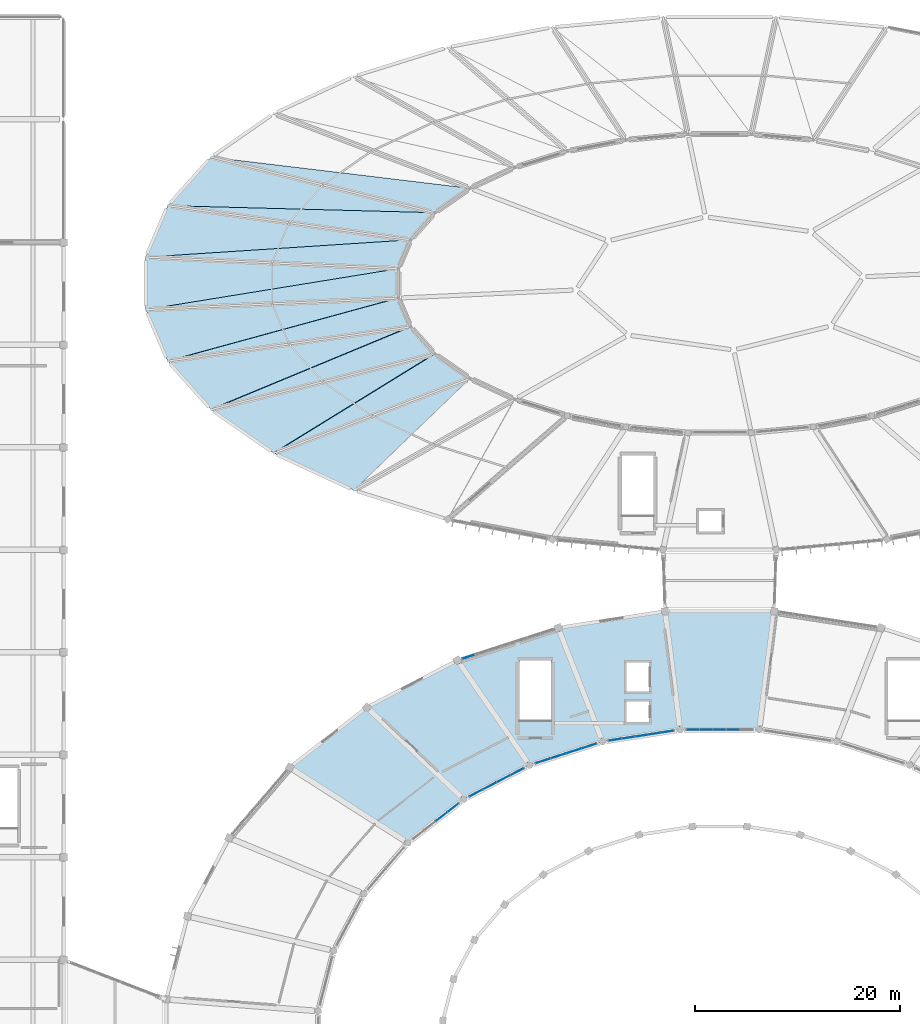
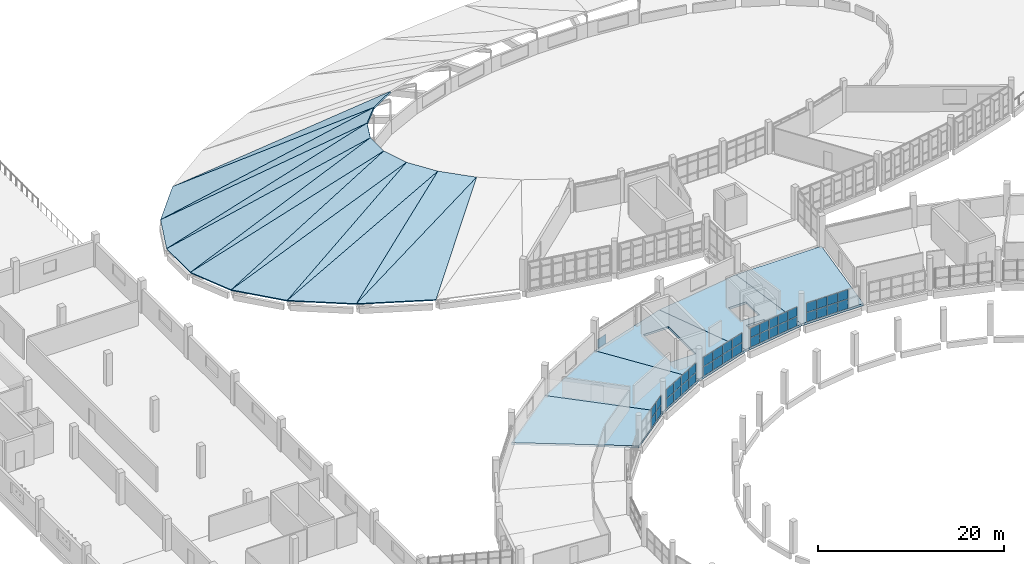
# One storey, part 80 of 142: 39 plates, 19 slabs, 6 elements without a shape of their own.
"""IFC4 building model written with IfcOpenShell, lengths in metres."""

from ifc_helpers import new_model, si_unit, direction, frame, origin, origin_2d, place, context, subcontext, project, spatial, polyline, rectangle, outline, extrude, material, layer, layer_set, type_object, element, aggregate, save


model = new_model("IFC4")

# Units and contexts
model_context = context("Model", 3, precision=1e-05, world=origin(), true_north=direction((0.0, 1.0)))
body_context = subcontext(model_context, "Body", "Model", "MODEL_VIEW")
ifc_project = project(units=[si_unit("LENGTHUNIT", "METRE"), si_unit("AREAUNIT", "SQUARE_METRE"), si_unit("VOLUMEUNIT", "CUBIC_METRE"), si_unit("PLANEANGLEUNIT", "RADIAN"), si_unit("MASSUNIT", "GRAM", prefix="KILO")], contexts=[model_context])

# Site, building, storey
site_placement = place(None, origin())
site = spatial("IfcSite", under=ifc_project, at=site_placement, CompositionType="ELEMENT")
building_placement = place(site_placement, origin())
building = spatial("IfcBuilding", under=site, at=building_placement, Name="Corvandel Quay Wholesale Market", CompositionType="ELEMENT")
storey_placement = place(building_placement, frame((0.0, 0.0, 10.800048828125)))
storey = spatial("IfcBuildingStorey", under=building, at=storey_placement, Name="L02", CompositionType="ELEMENT", Elevation=10.800048828125)

# Slabs
ifc_material_1 = material(Name="Concrete C40/50", Category="concrete")
ifc_layer_1 = layer(ifc_material_1, 0.280029296875)
ifc_layer_set_1 = layer_set([ifc_layer_1], Name="Concrete C40/50")
slab_type_1 = type_object("IfcSlabType", Name="Composite Sorting Gallery Floor Slab 280", PredefinedType="FLOOR", material=ifc_layer_set_1)
slab_1_placement = place(storey_placement, frame((0.0, 0.0, -0.280029296875)))
element("IfcSlab", 1, at=slab_1_placement, inside=storey, type_object=slab_type_1, Name="Slab SLB-0041", PredefinedType="FLOOR", context=body_context, shape_type="SweptSolid", body=[
    extrude(outline(polyline([(117.85595703125, 72.449951171875), (110.14404296875, 72.449951171875), (108.680908203125, 84.0), (119.319091796875, 84.0), (117.85595703125, 72.449951171875)])), origin(), (0.0, 0.0, 1.0), 0.280029296875),
])
slab_2_placement = place(storey_placement, frame((0.0, 0.0, -0.280029296875)))
element("IfcSlab", 2, at=slab_2_placement, inside=storey, type_object=slab_type_1, Name="Slab SLB-0046", PredefinedType="FLOOR", context=body_context, shape_type="SweptSolid", body=[
    extrude(outline(polyline([(110.14404296875, 72.449951171875), (102.580078125, 71.280029296875), (98.2490234375, 82.385986328125), (108.680908203125, 84.0), (110.14404296875, 72.449951171875)]), holes=[polyline([(107.10009765625, 75.199951171875), (104.89990234375, 75.199951171875), (104.89990234375, 73.199951171875), (107.10009765625, 73.199951171875), (107.10009765625, 75.199951171875)]), polyline([(107.10009765625, 76.199951171875), (107.10009765625, 79.0), (104.89990234375, 79.0), (104.89990234375, 76.199951171875), (107.10009765625, 76.199951171875)])]), origin(), (0.0, 0.0, 1.0), 0.280029296875),
])
slab_3_placement = place(storey_placement, frame((0.0, 0.0, -0.280029296875)))
element("IfcSlab", 3, at=slab_3_placement, inside=storey, type_object=slab_type_1, Name="Slab SLB-0051", PredefinedType="FLOOR", context=body_context, shape_type="SweptSolid", body=[
    extrude(outline(polyline([(102.580078125, 71.280029296875), (95.4560546875, 68.98388671875), (88.4208984375, 79.219970703125), (98.2490234375, 82.385986328125), (102.580078125, 71.280029296875)]), holes=[polyline([(97.550048828125, 73.300048828125), (97.550048828125, 79.199951171875), (94.449951171875, 79.199951171875), (94.449951171875, 73.300048828125), (97.550048828125, 73.300048828125)])]), origin(), (0.0, 0.0, 1.0), 0.280029296875),
])
slab_4_placement = place(storey_placement, frame((0.0, 0.0, -0.280029296875)))
element("IfcSlab", 4, at=slab_4_placement, inside=storey, type_object=slab_type_1, Name="Slab SLB-0056", PredefinedType="FLOOR", context=body_context, shape_type="SweptSolid", body=[
    extrude(outline(polyline([(95.4560546875, 68.98388671875), (89.04296875, 65.652099609375), (79.576904296875, 74.6240234375), (88.4208984375, 79.219970703125), (95.4560546875, 68.98388671875)])), origin(), (0.0, 0.0, 1.0), 0.280029296875),
])
slab_5_placement = place(storey_placement, frame((0.0, 0.0, -0.280029296875)))
element("IfcSlab", 5, at=slab_5_placement, inside=storey, type_object=slab_type_1, Name="Slab SLB-0061", PredefinedType="FLOOR", context=body_context, shape_type="SweptSolid", body=[
    extrude(outline(polyline([(89.04296875, 65.652099609375), (83.590087890625, 61.410888671875), (72.054931640625, 68.77294921875), (79.576904296875, 74.6240234375), (89.04296875, 65.652099609375)])), origin(), (0.0, 0.0, 1.0), 0.280029296875),
])

# Curtain wall, plates
ifc_material_2 = material(Name="Bronze anodised aluminium and low-E insulated glazing", Category="aluminium")
ifc_layer_2 = layer(ifc_material_2, 0.162109375)
ifc_layer_set_2 = layer_set([ifc_layer_2], Name="Bronze anodised aluminium and low-E insulated glazing")
curtain_wall_type_1 = type_object("IfcCurtainWallType", Name="Stick Curtain Wall System CW01 H3090", PredefinedType="NOTDEFINED", material=ifc_layer_set_2)
curtain_wall_1_placement = place(storey_placement, origin())
curtain_wall_1 = element("IfcCurtainWall", 6, at=curtain_wall_1_placement, inside=storey, type_object=curtain_wall_type_1, Name="Curtain Wall CW-0023", PredefinedType="NOTDEFINED")
ifc_material_3 = material(Name="Solar-control low-E insulated glazing", Category="glass")
ifc_layer_3 = layer(ifc_material_3, 0.028076171875)
ifc_layer_set_3 = layer_set([ifc_layer_3], Name="Solar-control low-E insulated glazing")
plate_type = type_object("IfcPlateType", Name="Double Low-E Vision Panel PN01 28mm", PredefinedType="CURTAIN_PANEL", material=ifc_layer_set_3)
plate_1_placement = place(storey_placement, frame((115.302490234375, 72.449951171875, 0.02978515625), z_axis=(0.0, 0.0, 1.0), x_axis=(1.0, 0.0, 0.0)))
plate_1 = element("IfcPlate", 7, at=plate_1_placement, type_object=plate_type, Name="Glazing Panel CW-0023-P01-0", PredefinedType="CURTAIN_PANEL", context=body_context, shape_type="SweptSolid", body=[
    extrude(rectangle(XDim=1.2373046875, YDim=0.028076171875, at=origin_2d()), origin(), (0.0, 0.0, 1.0), 1.215087890625),
])
plate_2_placement = place(storey_placement, frame((115.302490234375, 72.449951171875, 1.3046875), z_axis=(0.0, 0.0, 1.0), x_axis=(1.0, 0.0, 0.0)))
plate_2 = element("IfcPlate", 8, at=plate_2_placement, type_object=plate_type, Name="Glazing Panel CW-0023-P01-1", PredefinedType="CURTAIN_PANEL", context=body_context, shape_type="SweptSolid", body=[
    extrude(rectangle(XDim=1.2373046875, YDim=0.028076171875, at=origin_2d()), origin(), (0.0, 0.0, 1.0), 1.215087890625),
])
plate_3_placement = place(storey_placement, frame((114.0, 72.449951171875, 0.02978515625), z_axis=(0.0, 0.0, 1.0), x_axis=(1.0, 0.0, 0.0)))
plate_3 = element("IfcPlate", 9, at=plate_3_placement, type_object=plate_type, Name="Glazing Panel CW-0023-P02-0", PredefinedType="CURTAIN_PANEL", context=body_context, shape_type="SweptSolid", body=[
    extrude(rectangle(XDim=1.2373046875, YDim=0.028076171875, at=origin_2d()), origin(), (0.0, 0.0, 1.0), 1.215087890625),
])
plate_4_placement = place(storey_placement, frame((114.0, 72.449951171875, 1.3046875), z_axis=(0.0, 0.0, 1.0), x_axis=(1.0, 0.0, 0.0)))
plate_4 = element("IfcPlate", 10, at=plate_4_placement, type_object=plate_type, Name="Glazing Panel CW-0023-P02-1", PredefinedType="CURTAIN_PANEL", context=body_context, shape_type="SweptSolid", body=[
    extrude(rectangle(XDim=1.2373046875, YDim=0.028076171875, at=origin_2d()), origin(), (0.0, 0.0, 1.0), 1.215087890625),
])
plate_5_placement = place(storey_placement, frame((112.697509765625, 72.449951171875, 0.02978515625), z_axis=(0.0, 0.0, 1.0), x_axis=(1.0, 0.0, 0.0)))
plate_5 = element("IfcPlate", 11, at=plate_5_placement, type_object=plate_type, Name="Glazing Panel CW-0023-P03-0", PredefinedType="CURTAIN_PANEL", context=body_context, shape_type="SweptSolid", body=[
    extrude(rectangle(XDim=1.2373046875, YDim=0.028076171875, at=origin_2d()), origin(), (0.0, 0.0, 1.0), 1.215087890625),
])
plate_6_placement = place(storey_placement, frame((112.697509765625, 72.449951171875, 1.3046875), z_axis=(0.0, 0.0, 1.0), x_axis=(1.0, 0.0, 0.0)))
plate_6 = element("IfcPlate", 12, at=plate_6_placement, type_object=plate_type, Name="Glazing Panel CW-0023-P03-1", PredefinedType="CURTAIN_PANEL", context=body_context, shape_type="SweptSolid", body=[
    extrude(rectangle(XDim=1.2373046875, YDim=0.028076171875, at=origin_2d()), origin(), (0.0, 0.0, 1.0), 1.215087890625),
])
plate_7_placement = place(storey_placement, frame((111.395263671875, 72.449951171875, 0.02978515625), z_axis=(0.0, 0.0, 1.0), x_axis=(1.0, 0.0, 0.0)))
plate_7 = element("IfcPlate", 13, at=plate_7_placement, type_object=plate_type, Name="Glazing Panel CW-0023-P04-0", PredefinedType="CURTAIN_PANEL", context=body_context, shape_type="SweptSolid", body=[
    extrude(rectangle(XDim=1.2373046875, YDim=0.028076171875, at=origin_2d()), origin(), (0.0, 0.0, 1.0), 1.215087890625),
])
plate_8_placement = place(storey_placement, frame((111.395263671875, 72.449951171875, 1.3046875), z_axis=(0.0, 0.0, 1.0), x_axis=(1.0, 0.0, 0.0)))
plate_8 = element("IfcPlate", 14, at=plate_8_placement, type_object=plate_type, Name="Glazing Panel CW-0023-P04-1", PredefinedType="CURTAIN_PANEL", context=body_context, shape_type="SweptSolid", body=[
    extrude(rectangle(XDim=1.2373046875, YDim=0.028076171875, at=origin_2d()), origin(), (0.0, 0.0, 1.0), 1.215087890625),
])
aggregate(curtain_wall_1, [plate_1, plate_2, plate_3, plate_4, plate_5, plate_6, plate_7, plate_8])

ifc_layer_4 = layer(ifc_material_2, 0.174072265625)
ifc_layer_set_4 = layer_set([ifc_layer_4], Name="Bronze anodised aluminium and low-E insulated glazing")
curtain_wall_type_2 = type_object("IfcCurtainWallType", Name="Stick Curtain Wall System CW02 H3180", PredefinedType="NOTDEFINED", material=ifc_layer_set_4)
curtain_wall_2_placement = place(storey_placement, origin())
curtain_wall_2 = element("IfcCurtainWall", 15, at=curtain_wall_2_placement, inside=storey, type_object=curtain_wall_type_2, Name="Curtain Wall CW-0026", PredefinedType="NOTDEFINED")
plate_9_placement = place(storey_placement, frame((108.9130859375, 72.259521484375, 0.02978515625), z_axis=(0.0, 0.0, 1.0), x_axis=(0.98825506746, 0.152813355565, 0.0)))
plate_9 = element("IfcPlate", 16, at=plate_9_placement, type_object=plate_type, Name="Glazing Panel CW-0026-P00-0", PredefinedType="CURTAIN_PANEL", context=body_context, shape_type="SweptSolid", body=[
    extrude(rectangle(XDim=1.225830078125, YDim=0.028076171875, at=origin_2d()), origin(), (0.0, 0.0, 1.0), 1.215087890625),
])
plate_10_placement = place(storey_placement, frame((108.9130859375, 72.259521484375, 1.3046875), z_axis=(0.0, 0.0, 1.0), x_axis=(0.98825506746, 0.152813355565, 0.0)))
plate_10 = element("IfcPlate", 17, at=plate_10_placement, type_object=plate_type, Name="Glazing Panel CW-0026-P00-1", PredefinedType="CURTAIN_PANEL", context=body_context, shape_type="SweptSolid", body=[
    extrude(rectangle(XDim=1.225830078125, YDim=0.028076171875, at=origin_2d()), origin(), (0.0, 0.0, 1.0), 1.215087890625),
])
plate_11_placement = place(storey_placement, frame((107.6376953125, 72.062255859375, 0.02978515625), z_axis=(0.0, 0.0, 1.0), x_axis=(0.98825506746, 0.152813355565, 0.0)))
plate_11 = element("IfcPlate", 18, at=plate_11_placement, type_object=plate_type, Name="Glazing Panel CW-0026-P01-0", PredefinedType="CURTAIN_PANEL", context=body_context, shape_type="SweptSolid", body=[
    extrude(rectangle(XDim=1.225830078125, YDim=0.028076171875, at=origin_2d()), origin(), (0.0, 0.0, 1.0), 1.215087890625),
])
plate_12_placement = place(storey_placement, frame((107.6376953125, 72.062255859375, 1.3046875), z_axis=(0.0, 0.0, 1.0), x_axis=(0.98825506746, 0.152813355565, 0.0)))
plate_12 = element("IfcPlate", 19, at=plate_12_placement, type_object=plate_type, Name="Glazing Panel CW-0026-P01-1", PredefinedType="CURTAIN_PANEL", context=body_context, shape_type="SweptSolid", body=[
    extrude(rectangle(XDim=1.225830078125, YDim=0.028076171875, at=origin_2d()), origin(), (0.0, 0.0, 1.0), 1.215087890625),
])
plate_13_placement = place(storey_placement, frame((106.362060546875, 71.864990234375, 0.02978515625), z_axis=(0.0, 0.0, 1.0), x_axis=(0.98825506746, 0.152813355565, 0.0)))
plate_13 = element("IfcPlate", 20, at=plate_13_placement, type_object=plate_type, Name="Glazing Panel CW-0026-P02-0", PredefinedType="CURTAIN_PANEL", context=body_context, shape_type="SweptSolid", body=[
    extrude(rectangle(XDim=1.225830078125, YDim=0.028076171875, at=origin_2d()), origin(), (0.0, 0.0, 1.0), 1.215087890625),
])
plate_14_placement = place(storey_placement, frame((106.362060546875, 71.864990234375, 1.3046875), z_axis=(0.0, 0.0, 1.0), x_axis=(0.98825506746, 0.152813355565, 0.0)))
plate_14 = element("IfcPlate", 21, at=plate_14_placement, type_object=plate_type, Name="Glazing Panel CW-0026-P02-1", PredefinedType="CURTAIN_PANEL", context=body_context, shape_type="SweptSolid", body=[
    extrude(rectangle(XDim=1.225830078125, YDim=0.028076171875, at=origin_2d()), origin(), (0.0, 0.0, 1.0), 1.215087890625),
])
plate_15_placement = place(storey_placement, frame((105.08642578125, 71.667724609375, 0.02978515625), z_axis=(0.0, 0.0, 1.0), x_axis=(0.98825506746, 0.152813355565, 0.0)))
plate_15 = element("IfcPlate", 22, at=plate_15_placement, type_object=plate_type, Name="Glazing Panel CW-0026-P03-0", PredefinedType="CURTAIN_PANEL", context=body_context, shape_type="SweptSolid", body=[
    extrude(rectangle(XDim=1.225830078125, YDim=0.028076171875, at=origin_2d()), origin(), (0.0, 0.0, 1.0), 1.215087890625),
])
plate_16_placement = place(storey_placement, frame((105.08642578125, 71.667724609375, 1.3046875), z_axis=(0.0, 0.0, 1.0), x_axis=(0.98825506746, 0.152813355565, 0.0)))
plate_16 = element("IfcPlate", 23, at=plate_16_placement, type_object=plate_type, Name="Glazing Panel CW-0026-P03-1", PredefinedType="CURTAIN_PANEL", context=body_context, shape_type="SweptSolid", body=[
    extrude(rectangle(XDim=1.225830078125, YDim=0.028076171875, at=origin_2d()), origin(), (0.0, 0.0, 1.0), 1.215087890625),
])
plate_17_placement = place(storey_placement, frame((103.810791015625, 71.470458984375, 0.02978515625), z_axis=(0.0, 0.0, 1.0), x_axis=(0.98825506746, 0.152813355565, 0.0)))
plate_17 = element("IfcPlate", 24, at=plate_17_placement, type_object=plate_type, Name="Glazing Panel CW-0026-P04-0", PredefinedType="CURTAIN_PANEL", context=body_context, shape_type="SweptSolid", body=[
    extrude(rectangle(XDim=1.225830078125, YDim=0.028076171875, at=origin_2d()), origin(), (0.0, 0.0, 1.0), 1.215087890625),
])
plate_18_placement = place(storey_placement, frame((103.810791015625, 71.470458984375, 1.3046875), z_axis=(0.0, 0.0, 1.0), x_axis=(0.98825506746, 0.152813355565, 0.0)))
plate_18 = element("IfcPlate", 25, at=plate_18_placement, type_object=plate_type, Name="Glazing Panel CW-0026-P04-1", PredefinedType="CURTAIN_PANEL", context=body_context, shape_type="SweptSolid", body=[
    extrude(rectangle(XDim=1.225830078125, YDim=0.028076171875, at=origin_2d()), origin(), (0.0, 0.0, 1.0), 1.215087890625),
])
aggregate(curtain_wall_2, [plate_9, plate_10, plate_11, plate_12, plate_13, plate_14, plate_15, plate_16, plate_17, plate_18])

# Curtain wall, plate
ifc_layer_5 = layer(ifc_material_2, 0.18603515625)
ifc_layer_set_5 = layer_set([ifc_layer_5], Name="Bronze anodised aluminium and low-E insulated glazing")
curtain_wall_type_3 = type_object("IfcCurtainWallType", Name="Stick Curtain Wall System CW18 H4620", PredefinedType="NOTDEFINED", material=ifc_layer_set_5)
curtain_wall_3_placement = place(storey_placement, origin())
curtain_wall_3 = element("IfcCurtainWall", 26, at=curtain_wall_3_placement, inside=storey, type_object=curtain_wall_type_3, Name="Curtain Wall CW-0027", PredefinedType="NOTDEFINED")
plate_19_placement = place(storey_placement, frame((89.489990234375, 79.564453125, 0.02978515625), z_axis=(0.0, 0.0, 1.0), x_axis=(0.951808747363, 0.306692204733, 0.0)))
plate_19 = element("IfcPlate", 27, at=plate_19_placement, type_object=plate_type, Name="Glazing Panel CW-0027-P06-0", PredefinedType="CURTAIN_PANEL", context=body_context, shape_type="SweptSolid", body=[
    extrude(rectangle(XDim=1.281494140625, YDim=0.028076171875, at=origin_2d()), origin(), (0.0, 0.0, 1.0), 1.215087890625),
])
aggregate(curtain_wall_3, [plate_19])

# Curtain wall, plates
ifc_layer_6 = layer(ifc_material_2, 0.18603515625)
ifc_layer_set_6 = layer_set([ifc_layer_6], Name="Bronze anodised aluminium and low-E insulated glazing")
curtain_wall_type_4 = type_object("IfcCurtainWallType", Name="Stick Curtain Wall System CW03 H3270", PredefinedType="NOTDEFINED", material=ifc_layer_set_6)
curtain_wall_4_placement = place(storey_placement, origin())
curtain_wall_4 = element("IfcCurtainWall", 28, at=curtain_wall_4_placement, inside=storey, type_object=curtain_wall_type_4, Name="Curtain Wall CW-0029", PredefinedType="NOTDEFINED")
plate_20_placement = place(storey_placement, frame((101.26123046875, 70.85498046875, 0.02978515625), z_axis=(0.0, 0.0, 1.0), x_axis=(0.951808747363, 0.306692204733, 0.0)))
plate_20 = element("IfcPlate", 29, at=plate_20_placement, type_object=plate_type, Name="Glazing Panel CW-0029-P00-0", PredefinedType="CURTAIN_PANEL", context=body_context, shape_type="SweptSolid", body=[
    extrude(rectangle(XDim=1.506103515625, YDim=0.028076171875, at=origin_2d()), origin(), (0.0, 0.0, 1.0), 1.215087890625),
])
plate_21_placement = place(storey_placement, frame((101.26123046875, 70.85498046875, 1.3046875), z_axis=(0.0, 0.0, 1.0), x_axis=(0.951808747363, 0.306692204733, 0.0)))
plate_21 = element("IfcPlate", 30, at=plate_21_placement, type_object=plate_type, Name="Glazing Panel CW-0029-P00-1", PredefinedType="CURTAIN_PANEL", context=body_context, shape_type="SweptSolid", body=[
    extrude(rectangle(XDim=1.506103515625, YDim=0.028076171875, at=origin_2d()), origin(), (0.0, 0.0, 1.0), 1.215087890625),
])
plate_22_placement = place(storey_placement, frame((99.765625, 70.373046875, 0.02978515625), z_axis=(0.0, 0.0, 1.0), x_axis=(0.951808747363, 0.306692204733, 0.0)))
plate_22 = element("IfcPlate", 31, at=plate_22_placement, type_object=plate_type, Name="Glazing Panel CW-0029-P01-0", PredefinedType="CURTAIN_PANEL", context=body_context, shape_type="SweptSolid", body=[
    extrude(rectangle(XDim=1.506103515625, YDim=0.028076171875, at=origin_2d()), origin(), (0.0, 0.0, 1.0), 1.215087890625),
])
plate_23_placement = place(storey_placement, frame((99.765625, 70.373046875, 1.3046875), z_axis=(0.0, 0.0, 1.0), x_axis=(0.951808747363, 0.306692204733, 0.0)))
plate_23 = element("IfcPlate", 32, at=plate_23_placement, type_object=plate_type, Name="Glazing Panel CW-0029-P01-1", PredefinedType="CURTAIN_PANEL", context=body_context, shape_type="SweptSolid", body=[
    extrude(rectangle(XDim=1.506103515625, YDim=0.028076171875, at=origin_2d()), origin(), (0.0, 0.0, 1.0), 1.215087890625),
])
plate_24_placement = place(storey_placement, frame((98.270263671875, 69.89111328125, 0.02978515625), z_axis=(0.0, 0.0, 1.0), x_axis=(0.951808747363, 0.306692204733, 0.0)))
plate_24 = element("IfcPlate", 33, at=plate_24_placement, type_object=plate_type, Name="Glazing Panel CW-0029-P02-0", PredefinedType="CURTAIN_PANEL", context=body_context, shape_type="SweptSolid", body=[
    extrude(rectangle(XDim=1.506103515625, YDim=0.028076171875, at=origin_2d()), origin(), (0.0, 0.0, 1.0), 1.215087890625),
])
plate_25_placement = place(storey_placement, frame((98.270263671875, 69.89111328125, 1.3046875), z_axis=(0.0, 0.0, 1.0), x_axis=(0.951808747363, 0.306692204733, 0.0)))
plate_25 = element("IfcPlate", 34, at=plate_25_placement, type_object=plate_type, Name="Glazing Panel CW-0029-P02-1", PredefinedType="CURTAIN_PANEL", context=body_context, shape_type="SweptSolid", body=[
    extrude(rectangle(XDim=1.506103515625, YDim=0.028076171875, at=origin_2d()), origin(), (0.0, 0.0, 1.0), 1.215087890625),
])
plate_26_placement = place(storey_placement, frame((96.77490234375, 69.408935546875, 0.02978515625), z_axis=(0.0, 0.0, 1.0), x_axis=(0.951808747363, 0.306692204733, 0.0)))
plate_26 = element("IfcPlate", 35, at=plate_26_placement, type_object=plate_type, Name="Glazing Panel CW-0029-P03-0", PredefinedType="CURTAIN_PANEL", context=body_context, shape_type="SweptSolid", body=[
    extrude(rectangle(XDim=1.506103515625, YDim=0.028076171875, at=origin_2d()), origin(), (0.0, 0.0, 1.0), 1.215087890625),
])
plate_27_placement = place(storey_placement, frame((96.77490234375, 69.408935546875, 1.3046875), z_axis=(0.0, 0.0, 1.0), x_axis=(0.951808747363, 0.306692204733, 0.0)))
plate_27 = element("IfcPlate", 36, at=plate_27_placement, type_object=plate_type, Name="Glazing Panel CW-0029-P03-1", PredefinedType="CURTAIN_PANEL", context=body_context, shape_type="SweptSolid", body=[
    extrude(rectangle(XDim=1.506103515625, YDim=0.028076171875, at=origin_2d()), origin(), (0.0, 0.0, 1.0), 1.215087890625),
])
aggregate(curtain_wall_4, [plate_20, plate_21, plate_22, plate_23, plate_24, plate_25, plate_26, plate_27])

ifc_layer_7 = layer(ifc_material_2, 0.197998046875)
ifc_layer_set_7 = layer_set([ifc_layer_7], Name="Bronze anodised aluminium and low-E insulated glazing")
curtain_wall_type_5 = type_object("IfcCurtainWallType", Name="Stick Curtain Wall System CW04 H3360", PredefinedType="NOTDEFINED", material=ifc_layer_set_7)
curtain_wall_5_placement = place(storey_placement, origin())
curtain_wall_5 = element("IfcCurtainWall", 37, at=curtain_wall_5_placement, inside=storey, type_object=curtain_wall_type_5, Name="Curtain Wall CW-0033", PredefinedType="NOTDEFINED")
plate_28_placement = place(storey_placement, frame((94.255126953125, 68.360107421875, 0.02978515625), z_axis=(0.0, 0.0, 1.0), x_axis=(0.887332978338, 0.461129250378, 0.0)))
plate_28 = element("IfcPlate", 38, at=plate_28_placement, type_object=plate_type, Name="Glazing Panel CW-0033-P00-0", PredefinedType="CURTAIN_PANEL", context=body_context, shape_type="SweptSolid", body=[
    extrude(rectangle(XDim=1.44189453125, YDim=0.028076171875, at=origin_2d()), origin(), (0.0, 0.0, 1.0), 1.215087890625),
])
plate_29_placement = place(storey_placement, frame((94.255126953125, 68.360107421875, 1.3046875), z_axis=(0.0, 0.0, 1.0), x_axis=(0.887332978338, 0.461129250378, 0.0)))
plate_29 = element("IfcPlate", 39, at=plate_29_placement, type_object=plate_type, Name="Glazing Panel CW-0033-P00-1", PredefinedType="CURTAIN_PANEL", context=body_context, shape_type="SweptSolid", body=[
    extrude(rectangle(XDim=1.44189453125, YDim=0.028076171875, at=origin_2d()), origin(), (0.0, 0.0, 1.0), 1.215087890625),
])
plate_30_placement = place(storey_placement, frame((92.91796875, 67.665283203125, 0.02978515625), z_axis=(0.0, 0.0, 1.0), x_axis=(0.887332978338, 0.461129250378, 0.0)))
plate_30 = element("IfcPlate", 40, at=plate_30_placement, type_object=plate_type, Name="Glazing Panel CW-0033-P01-0", PredefinedType="CURTAIN_PANEL", context=body_context, shape_type="SweptSolid", body=[
    extrude(rectangle(XDim=1.44189453125, YDim=0.028076171875, at=origin_2d()), origin(), (0.0, 0.0, 1.0), 1.215087890625),
])
plate_31_placement = place(storey_placement, frame((92.91796875, 67.665283203125, 1.3046875), z_axis=(0.0, 0.0, 1.0), x_axis=(0.887332978338, 0.461129250378, 0.0)))
plate_31 = element("IfcPlate", 41, at=plate_31_placement, type_object=plate_type, Name="Glazing Panel CW-0033-P01-1", PredefinedType="CURTAIN_PANEL", context=body_context, shape_type="SweptSolid", body=[
    extrude(rectangle(XDim=1.44189453125, YDim=0.028076171875, at=origin_2d()), origin(), (0.0, 0.0, 1.0), 1.215087890625),
])
plate_32_placement = place(storey_placement, frame((91.5810546875, 66.970703125, 0.02978515625), z_axis=(0.0, 0.0, 1.0), x_axis=(0.887332978338, 0.461129250378, 0.0)))
plate_32 = element("IfcPlate", 42, at=plate_32_placement, type_object=plate_type, Name="Glazing Panel CW-0033-P02-0", PredefinedType="CURTAIN_PANEL", context=body_context, shape_type="SweptSolid", body=[
    extrude(rectangle(XDim=1.44189453125, YDim=0.028076171875, at=origin_2d()), origin(), (0.0, 0.0, 1.0), 1.215087890625),
])
plate_33_placement = place(storey_placement, frame((91.5810546875, 66.970703125, 1.3046875), z_axis=(0.0, 0.0, 1.0), x_axis=(0.887332978338, 0.461129250378, 0.0)))
plate_33 = element("IfcPlate", 43, at=plate_33_placement, type_object=plate_type, Name="Glazing Panel CW-0033-P02-1", PredefinedType="CURTAIN_PANEL", context=body_context, shape_type="SweptSolid", body=[
    extrude(rectangle(XDim=1.44189453125, YDim=0.028076171875, at=origin_2d()), origin(), (0.0, 0.0, 1.0), 1.215087890625),
])
plate_34_placement = place(storey_placement, frame((90.243896484375, 66.27587890625, 0.02978515625), z_axis=(0.0, 0.0, 1.0), x_axis=(0.887332978338, 0.461129250378, 0.0)))
plate_34 = element("IfcPlate", 44, at=plate_34_placement, type_object=plate_type, Name="Glazing Panel CW-0033-P03-0", PredefinedType="CURTAIN_PANEL", context=body_context, shape_type="SweptSolid", body=[
    extrude(rectangle(XDim=1.44189453125, YDim=0.028076171875, at=origin_2d()), origin(), (0.0, 0.0, 1.0), 1.215087890625),
])
plate_35_placement = place(storey_placement, frame((90.243896484375, 66.27587890625, 1.3046875), z_axis=(0.0, 0.0, 1.0), x_axis=(0.887332978338, 0.461129250378, 0.0)))
plate_35 = element("IfcPlate", 45, at=plate_35_placement, type_object=plate_type, Name="Glazing Panel CW-0033-P03-1", PredefinedType="CURTAIN_PANEL", context=body_context, shape_type="SweptSolid", body=[
    extrude(rectangle(XDim=1.44189453125, YDim=0.028076171875, at=origin_2d()), origin(), (0.0, 0.0, 1.0), 1.215087890625),
])
aggregate(curtain_wall_5, [plate_28, plate_29, plate_30, plate_31, plate_32, plate_33, plate_34, plate_35])

ifc_layer_8 = layer(ifc_material_2, 0.14990234375)
ifc_layer_set_8 = layer_set([ifc_layer_8], Name="Bronze anodised aluminium and low-E insulated glazing")
curtain_wall_type_6 = type_object("IfcCurtainWallType", Name="Stick Curtain Wall System CW05 H3450", PredefinedType="NOTDEFINED", material=ifc_layer_set_8)
curtain_wall_6_placement = place(storey_placement, origin())
curtain_wall_6 = element("IfcCurtainWall", 46, at=curtain_wall_6_placement, inside=storey, type_object=curtain_wall_type_6, Name="Curtain Wall CW-0035", PredefinedType="NOTDEFINED")
plate_36_placement = place(storey_placement, frame((88.006103515625, 64.845703125, 0.02978515625), z_axis=(0.0, 0.0, 1.0), x_axis=(0.789405615633, 0.613871952452, 0.0)))
plate_36 = element("IfcPlate", 47, at=plate_36_placement, type_object=plate_type, Name="Glazing Panel CW-0035-P00-0", PredefinedType="CURTAIN_PANEL", context=body_context, shape_type="SweptSolid", body=[
    extrude(rectangle(XDim=1.362060546875, YDim=0.028076171875, at=origin_2d()), origin(), (0.0, 0.0, 1.0), 1.215087890625),
])
plate_37_placement = place(storey_placement, frame((88.006103515625, 64.845703125, 1.3046875), z_axis=(0.0, 0.0, 1.0), x_axis=(0.789405615633, 0.613871952452, 0.0)))
plate_37 = element("IfcPlate", 48, at=plate_37_placement, type_object=plate_type, Name="Glazing Panel CW-0035-P00-1", PredefinedType="CURTAIN_PANEL", context=body_context, shape_type="SweptSolid", body=[
    extrude(rectangle(XDim=1.362060546875, YDim=0.028076171875, at=origin_2d()), origin(), (0.0, 0.0, 1.0), 1.215087890625),
])
plate_38_placement = place(storey_placement, frame((86.879638671875, 63.969482421875, 0.02978515625), z_axis=(0.0, 0.0, 1.0), x_axis=(0.789405615633, 0.613871952452, 0.0)))
plate_38 = element("IfcPlate", 49, at=plate_38_placement, type_object=plate_type, Name="Glazing Panel CW-0035-P01-0", PredefinedType="CURTAIN_PANEL", context=body_context, shape_type="SweptSolid", body=[
    extrude(rectangle(XDim=1.362060546875, YDim=0.028076171875, at=origin_2d()), origin(), (0.0, 0.0, 1.0), 1.215087890625),
])
plate_39_placement = place(storey_placement, frame((86.879638671875, 63.969482421875, 1.3046875), z_axis=(0.0, 0.0, 1.0), x_axis=(0.789405615633, 0.613871952452, 0.0)))
plate_39 = element("IfcPlate", 50, at=plate_39_placement, type_object=plate_type, Name="Glazing Panel CW-0035-P01-1", PredefinedType="CURTAIN_PANEL", context=body_context, shape_type="SweptSolid", body=[
    extrude(rectangle(XDim=1.362060546875, YDim=0.028076171875, at=origin_2d()), origin(), (0.0, 0.0, 1.0), 1.215087890625),
])
aggregate(curtain_wall_6, [plate_36, plate_37, plate_38, plate_39])

# Slabs
ifc_layer_9 = layer(ifc_material_1, 0.179931640625)
ifc_layer_set_9 = layer_set([ifc_layer_9], Name="Concrete C40/50")
slab_type_2 = type_object("IfcSlabType", Name="Sawtooth Clerestory Roof Slab 180", PredefinedType="ROOF", material=ifc_layer_set_9)
slab_6_placement = place(storey_placement, frame((64.373046875, 128.31591796875, 0.179931640625), z_axis=(-0.145602650344, 0.413237610483, 0.898907417644), x_axis=(0.937492136334, -0.232654018986, 0.258806108433)))
element("IfcSlab", 51, at=slab_6_placement, inside=storey, type_object=slab_type_2, Name="Sloped Roof SLB-0275", PredefinedType="ROOF", context=body_context, shape_type="SweptSolid", body=[
    extrude(outline(polyline([(0.0, 0.0), (23.291862036722165, 0.0), (25.815035582946397, 3.3746645147894903), (0.0, 0.0)])), origin(), (0.0, 0.0, -1.0), 0.179931640625),
])
slab_7_placement = place(storey_placement, frame((64.373046875, 128.31591796875, 0.179931640625), z_axis=(-0.216322229364, 0.192962285805, 0.957063346566), x_axis=(-0.665665268026, -0.746250461269, 0.0)))
element("IfcSlab", 52, at=slab_7_placement, inside=storey, type_object=slab_type_2, Name="Sloped Roof SLB-0280", PredefinedType="ROOF", context=body_context, shape_type="SweptSolid", body=[
    extrude(outline(polyline([(0.0, 0.0), (6.340945619925072, 0.0), (-10.49153474949004, 20.79515654516556), (0.0, 0.0)])), origin(), (0.0, 0.0, -1.0), 0.179931640625),
])
slab_8_placement = place(storey_placement, frame((60.152099609375, 123.583984375, 0.179931640625), z_axis=(-0.205784620107, 0.317397123178, 0.925695282653), x_axis=(0.956486049024, -0.134711902789, 0.258818742116)))
element("IfcSlab", 53, at=slab_8_placement, inside=storey, type_object=slab_type_2, Name="Sloped Roof SLB-0281", PredefinedType="ROOF", context=body_context, shape_type="SweptSolid", body=[
    extrude(outline(polyline([(0.0, 0.0), (24.770744035355072, 2.220446049250313e-16), (26.575774507387397, 3.0820675620734406), (0.0, 0.0)])), origin(), (0.0, 0.0, -1.0), 0.179931640625),
])
slab_9_placement = place(storey_placement, frame((60.152099609375, 123.583984375, 0.179931640625), z_axis=(-0.245893309513, 0.105353821491, 0.963554384887), x_axis=(-0.39382763177, -0.919184310383, 0.0)))
element("IfcSlab", 54, at=slab_9_placement, inside=storey, type_object=slab_type_2, Name="Sloped Roof SLB-0286", PredefinedType="ROOF", context=body_context, shape_type="SweptSolid", body=[
    extrude(outline(polyline([(0.0, 0.0), (5.464572406219289, 0.0), (-6.263668261327416, 23.965730115669718), (0.0, 0.0)])), origin(), (0.0, 0.0, -1.0), 0.179931640625),
])
slab_10_placement = place(storey_placement, frame((58.0, 118.56103515625, 0.179931640625), z_axis=(-0.247755225624, 0.173231439081, 0.953209429606), x_axis=(0.964917215632, -0.044132354395, 0.258818666776)))
element("IfcSlab", 55, at=slab_10_placement, inside=storey, type_object=slab_type_2, Name="Sloped Roof SLB-0287", PredefinedType="ROOF", context=body_context, shape_type="SweptSolid", body=[
    extrude(outline(polyline([(0.0, 0.0), (25.535758072237247, -2.220446049250313e-16), (26.52316931497693, 2.9033323306299152), (0.0, 0.0)])), origin(), (0.0, 0.0, -1.0), 0.179931640625),
])
slab_11_placement = place(storey_placement, frame((58.0, 118.56103515625, 0.179931640625), z_axis=(-0.259071081542, 0.0, 0.965858258084), x_axis=(0.0, -1.0, 0.0)))
element("IfcSlab", 56, at=slab_11_placement, inside=storey, type_object=slab_type_2, Name="Sloped Roof SLB-0292", PredefinedType="ROOF", context=body_context, shape_type="SweptSolid", body=[
    extrude(outline(polyline([(0.0, 0.0), (5.1220703125, 0.0), (1.126953125, 25.51087840467047), (0.0, 0.0)])), origin(), (0.0, 0.0, -1.0), 0.179931640625),
])
slab_12_placement = place(storey_placement, frame((58.0, 113.43896484375, 0.179931640625), z_axis=(-0.259071081542, 0.0, 0.965858258084), x_axis=(0.964917215632, 0.044132354395, 0.258818666776)))
element("IfcSlab", 57, at=slab_12_placement, inside=storey, type_object=slab_type_2, Name="Sloped Roof SLB-0293", PredefinedType="ROOF", context=body_context, shape_type="SweptSolid", body=[
    extrude(outline(polyline([(0.0, 0.0), (25.535758072237247, 6.938893903907228e-17), (25.66233690510774, 2.865369590207457), (0.0, 0.0)])), origin(), (0.0, 0.0, -1.0), 0.179931640625),
])
slab_13_placement = place(storey_placement, frame((58.0, 113.43896484375, 0.179931640625), z_axis=(-0.252918916518, -0.108363966613, 0.9613996424), x_axis=(0.39382763177, -0.919184310383, 0.0)))
element("IfcSlab", 58, at=slab_13_placement, inside=storey, type_object=slab_type_2, Name="Sloped Roof SLB-0298", PredefinedType="ROOF", context=body_context, shape_type="SweptSolid", body=[
    extrude(outline(polyline([(0.0, 0.0), (5.464572406219289, 0.0), (8.667992910063633, 24.019592819923414), (0.0, 0.0)])), origin(), (0.0, 0.0, -1.0), 0.179931640625),
])
slab_14_placement = place(storey_placement, frame((60.152099609375, 108.416015625, 0.179931640625), z_axis=(-0.23533661059, -0.168195710116, 0.95724964498), x_axis=(0.956486049024, 0.134711902789, 0.258818742116)))
element("IfcSlab", 59, at=slab_14_placement, inside=storey, type_object=slab_type_2, Name="Sloped Roof SLB-0299", PredefinedType="ROOF", context=body_context, shape_type="SweptSolid", body=[
    extrude(outline(polyline([(0.0, 0.0), (24.770744035355072, -2.220446049250313e-16), (24.0482922301328, 2.980332695103141), (0.0, 0.0)])), origin(), (0.0, 0.0, -1.0), 0.179931640625),
])
slab_15_placement = place(storey_placement, frame((60.152099609375, 108.416015625, 0.179931640625), z_axis=(-0.228813431217, -0.204104602843, 0.951832823973), x_axis=(0.665665268026, -0.746250461269, 0.0)))
element("IfcSlab", 60, at=slab_15_placement, inside=storey, type_object=slab_type_2, Name="Sloped Roof SLB-0304", PredefinedType="ROOF", context=body_context, shape_type="SweptSolid", body=[
    extrude(outline(polyline([(0.0, 0.0), (6.340945619925072, 0.0), (13.28134772856864, 20.909221950563424), (0.0, 0.0)])), origin(), (0.0, 0.0, -1.0), 0.179931640625),
])
slab_16_placement = place(storey_placement, frame((64.373046875, 103.68408203125, 0.179931640625), z_axis=(-0.184094830905, -0.299558421131, 0.93614841001), x_axis=(0.937492136334, 0.232654018986, 0.258806108433)))
element("IfcSlab", 61, at=slab_16_placement, inside=storey, type_object=slab_type_2, Name="Sloped Roof SLB-0305", PredefinedType="ROOF", context=body_context, shape_type="SweptSolid", body=[
    extrude(outline(polyline([(0.0, 0.0), (23.291862036722165, -2.220446049250313e-16), (21.791265637815712, 3.2412167329167563), (0.0, 0.0)])), origin(), (0.0, 0.0, -1.0), 0.179931640625),
])
slab_17_placement = place(storey_placement, frame((64.373046875, 103.68408203125, 0.179931640625), z_axis=(-0.191594388237, -0.275774641494, 0.941934147117), x_axis=(0.821252443481, -0.570565004252, 0.0)))
element("IfcSlab", 62, at=slab_17_placement, inside=storey, type_object=slab_type_2, Name="Sloped Roof SLB-0310", PredefinedType="ROOF", context=body_context, shape_type="SweptSolid", body=[
    extrude(outline(polyline([(0.0, 0.0), (7.462877338939702, 0.0), (14.840956472295563, 17.951513811518172), (0.0, 0.0)])), origin(), (0.0, 0.0, -1.0), 0.179931640625),
])
slab_18_placement = place(storey_placement, frame((70.501953125, 99.426025390625, 0.179931640625), z_axis=(-0.118785737727, -0.378906210448, 0.917779947589), x_axis=(0.902616473435, 0.343941619186, 0.258819752868)))
element("IfcSlab", 63, at=slab_18_placement, inside=storey, type_object=slab_type_2, Name="Sloped Roof SLB-0311", PredefinedType="ROOF", context=body_context, shape_type="SweptSolid", body=[
    extrude(outline(polyline([(0.0, 0.0), (21.204089133677524, 4.440892098500626e-16), (19.065934060713744, 3.630848139994898), (0.0, 0.0)])), origin(), (0.0, 0.0, -1.0), 0.179931640625),
])
slab_19_placement = place(storey_placement, frame((70.501953125, 99.426025390625, 0.179931640625), z_axis=(-0.147523341537, -0.317688274385, 0.936648826412), x_axis=(0.906981471054, -0.421170525042, 0.0)))
element("IfcSlab", 64, at=slab_19_placement, inside=storey, type_object=slab_type_2, Name="Sloped Roof SLB-0316", PredefinedType="ROOF", context=body_context, shape_type="SweptSolid", body=[
    extrude(outline(polyline([(0.0, 0.0), (8.600009015682952, 0.0), (14.287280155709437, 15.66802545763864), (0.0, 0.0)])), origin(), (0.0, 0.0, -1.0), 0.179931640625),
])

save(model, "model.ifc")
